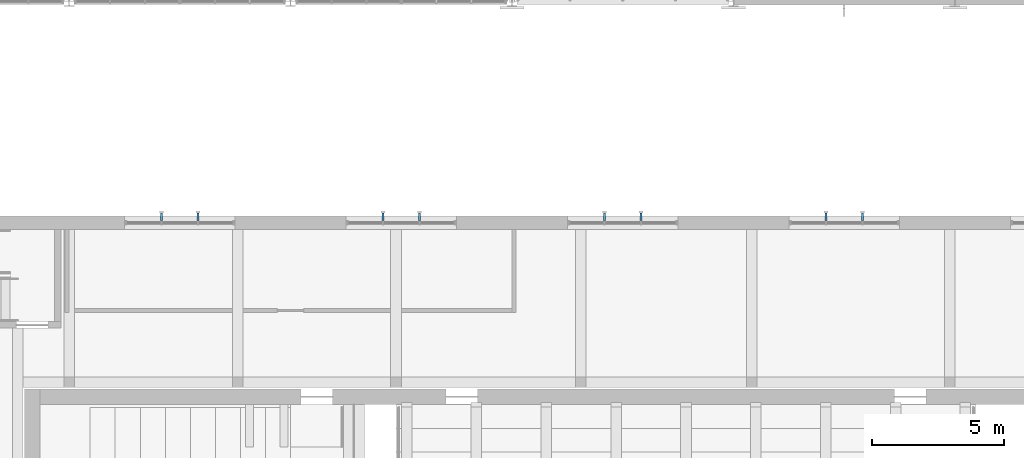
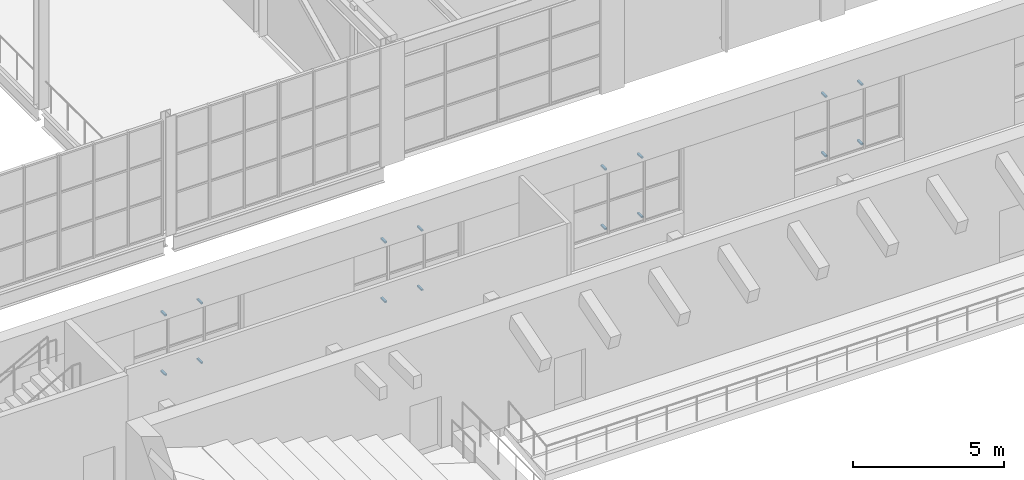
# One storey, part 97 of 127: 16 discrete accessories.
"""IFC4 building model written with IfcOpenShell, lengths in metres."""

from ifc_helpers import new_model, si_unit, direction, frame, origin, origin_2d, place, context, subcontext, project, spatial, rectangle, extrude, material, type_object, element, save


model = new_model("IFC4")

# Units and contexts
model_context = context("Model", 3, precision=1e-05, world=origin(), true_north=direction((0.0, 1.0)))
body_context = subcontext(model_context, "Body", "Model", "MODEL_VIEW")
ifc_project = project(units=[si_unit("LENGTHUNIT", "METRE"), si_unit("AREAUNIT", "SQUARE_METRE"), si_unit("VOLUMEUNIT", "CUBIC_METRE"), si_unit("PLANEANGLEUNIT", "RADIAN"), si_unit("MASSUNIT", "GRAM", prefix="KILO")], contexts=[model_context])

# Site, building, storey
site_placement = place(None, origin())
site = spatial("IfcSite", under=ifc_project, at=site_placement, CompositionType="ELEMENT")
building_placement = place(site_placement, origin())
building = spatial("IfcBuilding", under=site, at=building_placement, Name="Ljudholm Concert House", CompositionType="ELEMENT")
storey_placement = place(building_placement, frame((0.0, 0.0, 5.39990234375)))
storey = spatial("IfcBuildingStorey", under=building, at=storey_placement, Name="L01", CompositionType="ELEMENT", Elevation=5.39990234375)

# Discrete accessories
ifc_material = material(Name="Stainless steel bracket", Category="steel")
discrete_accessory_type = type_object("IfcDiscreteAccessoryType", Name="BRACKET 290", PredefinedType="BRACKET", material=ifc_material)
for number, where, z_axis, x_axis, name in (
    (1, (41.110107421875, 96.625, 0.969970703125), (0.0, 0.0, 1.0), (0.0, 1.0, 0.0), "Fin bracket"),
    (2, (41.110107421875, 96.625, 3.3701171875), (0.0, 0.0, 1.0), (0.0, 1.0, 0.0), "Fin bracket"),
    (3, (42.489990234375, 96.625, 0.969970703125), (0.0, 0.0, 1.0), (0.0, 1.0, 0.0), "Fin bracket"),
    (4, (42.489990234375, 96.625, 3.3701171875), (0.0, 0.0, 1.0), (0.0, 1.0, 0.0), "Fin bracket"),
    (5, (49.510009765625, 96.625, 0.969970703125), (0.0, 0.0, 1.0), (0.0, 1.0, 0.0), "Fin bracket"),
    (6, (49.510009765625, 96.625, 3.3701171875), (0.0, 0.0, 1.0), (0.0, 1.0, 0.0), "Fin bracket"),
    (7, (50.889892578125, 96.625, 0.969970703125), (0.0, 0.0, 1.0), (0.0, 1.0, 0.0), "Fin bracket"),
    (8, (50.889892578125, 96.625, 3.3701171875), (0.0, 0.0, 1.0), (0.0, 1.0, 0.0), "Fin bracket"),
    (9, (57.909912109375, 96.625, 0.969970703125), (0.0, 0.0, 1.0), (0.0, 1.0, 0.0), "Fin bracket"),
    (10, (57.909912109375, 96.625, 3.3701171875), (0.0, 0.0, 1.0), (0.0, 1.0, 0.0), "Fin bracket"),
    (11, (59.2900390625, 96.625, 0.969970703125), (0.0, 0.0, 1.0), (0.0, 1.0, 0.0), "Fin bracket"),
    (12, (59.2900390625, 96.625, 3.3701171875), (0.0, 0.0, 1.0), (0.0, 1.0, 0.0), "Fin bracket"),
    (13, (66.31005859375, 96.625, 0.969970703125), (0.0, 0.0, 1.0), (0.0, 1.0, 0.0), "Fin bracket"),
    (14, (66.31005859375, 96.625, 3.3701171875), (0.0, 0.0, 1.0), (0.0, 1.0, 0.0), "Fin bracket"),
    (15, (67.68994140625, 96.625, 0.969970703125), (0.0, 0.0, 1.0), (0.0, 1.0, 0.0), "Fin bracket"),
    (16, (67.68994140625, 96.625, 3.3701171875), (0.0, 0.0, 1.0), (0.0, 1.0, 0.0), "Fin bracket"),
):
    element("IfcDiscreteAccessory", number, at=place(storey_placement, frame(where, z_axis=z_axis, x_axis=x_axis)), inside=storey, type_object=discrete_accessory_type, Name=name, PredefinedType="BRACKET", context=body_context, shape_type="SweptSolid", body=[
        extrude(rectangle(XDim=0.2900390625, YDim=0.080078125, at=origin_2d()), origin(), (0.0, 0.0, 1.0), 0.06005859375),
    ])

save(model, "model.ifc")
